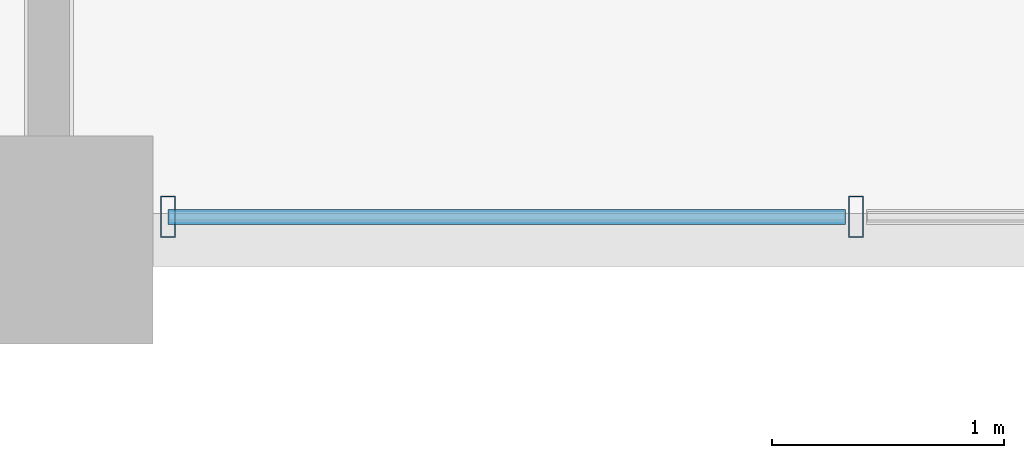
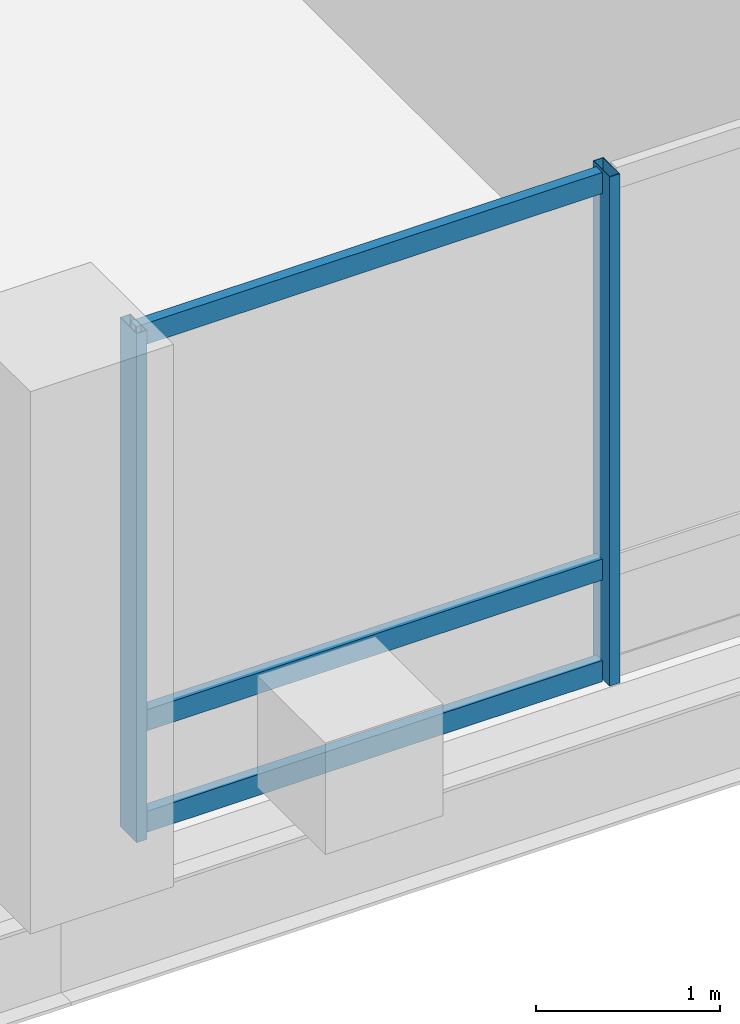
# One storey, part 2 of 21: 5 members, 1 element without a shape of its own.
"""IFC4 building model written with IfcOpenShell, lengths in metres."""

import ifcopenshell
import ifcopenshell.guid

model = None  # the IFC model being written
_history = None  # IfcOwnerHistory: only IFC2X3 demands one
_inside = {}  # id of a spatial element -> (the spatial element, [elements in it])
_under = {}  # id of a project, library or spatial element -> (it, [spatial elements below it])
_declared = {}  # id of a project -> (the project, [libraries it declares])
_typed = {}  # id of a type object -> (the type object, [elements of that type])
_made_of = {}  # id of a material, layer set ... -> (it, [elements and type objects made of it])


def new_model(schema):
    """Start an empty IFC model of exactly this schema.

    Asked for "IFC4X3", IfcOpenShell would pick the latest addendum, in which some entities
    have other attributes; the version numbers below select the first issue.
    IFC2X3 requires an IfcOwnerHistory on every rooted entity: one is made here for all.
    """
    global model, _history
    if schema == "IFC4X3":
        model = ifcopenshell.file(schema_version=(4, 3, 0, 0))
    else:
        model = ifcopenshell.file(schema=schema)
    _inside.clear()
    _under.clear()
    _declared.clear()
    _typed.clear()
    _made_of.clear()
    _history = None
    if model.schema == "IFC2X3":
        org = make("IfcOrganization", Name="unknown")
        user = make(
            "IfcPersonAndOrganization",
            ThePerson=make("IfcPerson", FamilyName="unknown"),
            TheOrganization=org,
        )
        app = make(
            "IfcApplication",
            ApplicationDeveloper=org,
            Version="unknown",
            ApplicationFullName="unknown",
            ApplicationIdentifier="unknown",
        )
        _history = make(
            "IfcOwnerHistory",
            OwningUser=user,
            OwningApplication=app,
            ChangeAction="ADDED",
            CreationDate=0,
        )
    return model


def make(cls, **values):
    """One entity of the class cls with the attributes given. An attribute that is None is left unset."""
    return model.create_entity(
        cls, **{name: value for name, value in values.items() if value is not None}
    )


def rooted(cls, **values):
    """An entity with a GlobalId (a new one), such as an element, a storey or a relation."""
    return make(cls, GlobalId=ifcopenshell.guid.new(), OwnerHistory=_history, **values)


def si_unit(unit_type, name, prefix=None):
    """IfcSIUnit, for example si_unit("LENGTHUNIT", "METRE", prefix="MILLI")."""
    return make("IfcSIUnit", UnitType=unit_type, Prefix=prefix, Name=name)


def assignment(units):
    """IfcUnitAssignment: the units of a project."""
    return None if units is None else make("IfcUnitAssignment", Units=units)


def point(xyz):
    """IfcCartesianPoint."""
    return None if xyz is None else make("IfcCartesianPoint", Coordinates=xyz)


def direction(xyz):
    """IfcDirection."""
    return None if xyz is None else make("IfcDirection", DirectionRatios=xyz)


def frame(location, z_axis=None, x_axis=None):
    """IfcAxis2Placement3D, a coordinate frame: its origin and axes. An axis left out is left unset."""
    return make(
        "IfcAxis2Placement3D",
        Location=point(location),
        Axis=direction(z_axis),
        RefDirection=direction(x_axis),
    )


def frame_2d(location, x_axis=None):
    """IfcAxis2Placement2D, a coordinate frame in the plane: its origin and x axis."""
    return make(
        "IfcAxis2Placement2D", Location=point(location), RefDirection=direction(x_axis)
    )


def origin():
    """The frame at (0, 0, 0) with its axes left unset."""
    return frame((0.0, 0.0, 0.0))


def origin_2d():
    """The frame at (0, 0) in the plane with its x axis left unset."""
    return frame_2d((0.0, 0.0))


def place(relative_to, where):
    """IfcLocalPlacement: puts the frame where relative to a parent placement (None: the world)."""
    return make(
        "IfcLocalPlacement", PlacementRelTo=relative_to, RelativePlacement=where
    )


def context(
    kind, dimensions, precision=None, world=None, true_north=None, identifier=None
):
    """IfcGeometricRepresentationContext, for example the 3D "Model" context."""
    return make(
        "IfcGeometricRepresentationContext",
        ContextIdentifier=identifier,
        ContextType=kind,
        CoordinateSpaceDimension=dimensions,
        Precision=precision,
        WorldCoordinateSystem=world,
        TrueNorth=true_north,
    )


def subcontext(parent, identifier, kind, view, scale=None):
    """IfcGeometricRepresentationSubContext, for example "Body" below "Model"."""
    return make(
        "IfcGeometricRepresentationSubContext",
        ContextIdentifier=identifier,
        ContextType=kind,
        ParentContext=parent,
        TargetScale=scale,
        TargetView=view,
    )


def project(units=None, contexts=None):
    """IfcProject with its units and contexts."""
    return rooted(
        "IfcProject",
        Name="project",
        RepresentationContexts=contexts,
        UnitsInContext=assignment(units),
    )


def spatial(cls, under=None, at=None, **own):
    """A site, building, storey or space (cls), placed at a placement, below another one or the project."""
    s = rooted(cls, ObjectPlacement=at, **own)
    if under is not None:
        _under.setdefault(under.id(), (under, []))[1].append(s)
    return s


def profile(cls, at=None, kind="AREA", **sizes):
    """A parametric profile (cls). Its sizes go by their IFC names, for example OverallWidth=200.0."""
    return make(cls, ProfileType=kind, Position=at, **sizes)


def hollow_rectangle(**sizes):
    """IfcRectangleHollowProfileDef."""
    return profile("IfcRectangleHollowProfileDef", **sizes)


def extrude(swept, where, along, depth):
    """IfcExtrudedAreaSolid: the profile swept, set in the frame where, extruded along a direction by depth."""
    return make(
        "IfcExtrudedAreaSolid",
        SweptArea=swept,
        Position=where,
        ExtrudedDirection=direction(along),
        Depth=depth,
    )


def shape(context_of_items, identifier, shape_type, items):
    """IfcShapeRepresentation: the items that make up one representation, for example the "Body"."""
    return make(
        "IfcShapeRepresentation",
        ContextOfItems=context_of_items,
        RepresentationIdentifier=identifier,
        RepresentationType=shape_type,
        Items=items,
    )


def material(Name=None, Category=None):
    """IfcMaterial."""
    return make("IfcMaterial", Name=Name, Category=Category)


def layer(
    of_material, thickness, ventilated=None, Name=None, Category=None, Priority=None
):
    """IfcMaterialLayer: one layer of a wall or slab, of a material (None: an air gap)."""
    return make(
        "IfcMaterialLayer",
        Material=of_material,
        LayerThickness=thickness,
        IsVentilated=ventilated,
        Name=Name,
        Category=Category,
        Priority=Priority,
    )


def layer_set(layers, Name=None):
    """IfcMaterialLayerSet."""
    return make("IfcMaterialLayerSet", MaterialLayers=layers, LayerSetName=Name)


def material_profile(
    of_material, cross_section, Name=None, Category=None, Priority=None
):
    """IfcMaterialProfile: a cross section and its material."""
    return make(
        "IfcMaterialProfile",
        Name=Name,
        Material=of_material,
        Profile=cross_section,
        Priority=Priority,
        Category=Category,
    )


def profile_set(profiles, Name=None, composite=None):
    """IfcMaterialProfileSet."""
    return make(
        "IfcMaterialProfileSet",
        Name=Name,
        MaterialProfiles=profiles,
        CompositeProfile=composite,
    )


def made_of(thing, what):
    """Note that an element or type object is made of a material, layer set ...; save() writes the relation."""
    if what is not None:
        _made_of.setdefault(what.id(), (what, []))[1].append(thing)
    return thing


def type_object(cls, material=None, **own):
    """A type object (cls), such as IfcWallType, which elements share."""
    return made_of(rooted(cls, **own), material)


def element(
    cls,
    number,
    at=None,
    inside=None,
    cuts=None,
    type_object=None,
    material=None,
    context=None,
    identifier="Body",
    shape_type=None,
    held_by="IfcProductDefinitionShape",
    body=None,
    shapes=None,
    **own,
):
    """One element of the class cls, such as IfcWall. Its Tag is "e" and its number.

    at: its placement. inside: the storey or other place that contains it. cuts: it is an
    opening in that element (IfcRelVoidsElement). A single representation is given by context,
    identifier, shape_type and body (its items); several are given by shapes. held_by: the class
    of the entity that holds the representations. save() writes the other relations.
    """
    e = rooted(cls, Tag="e%d" % number, ObjectPlacement=at, **own)
    if body is not None:
        shapes = [shape(context, identifier, shape_type, body)]
    if shapes is not None:
        e.Representation = make(held_by, Representations=shapes)
    if inside is not None:
        _inside.setdefault(inside.id(), (inside, []))[1].append(e)
    if cuts is not None:
        rooted(
            "IfcRelVoidsElement", RelatingBuildingElement=cuts, RelatedOpeningElement=e
        )
    if type_object is not None:
        _typed.setdefault(type_object.id(), (type_object, []))[1].append(e)
    return made_of(e, material)


def aggregate(whole, parts):
    """IfcRelAggregates: a whole, such as a stair, and the parts it consists of."""
    return rooted("IfcRelAggregates", RelatingObject=whole, RelatedObjects=parts)


def save(model, path):
    """Write the relations noted so far, then the file.

    IfcRelAggregates (storeys below a building ...), IfcRelContainedInSpatialStructure (elements
    in a storey), IfcRelDefinesByType, IfcRelAssociatesMaterial and IfcRelDeclares: one each for
    every whole, place, type object, material and project.
    """
    for whole, parts in _under.values():
        aggregate(whole, parts)
    for where, things in _inside.values():
        rooted(
            "IfcRelContainedInSpatialStructure",
            RelatedElements=things,
            RelatingStructure=where,
        )
    for kind, things in _typed.values():
        rooted("IfcRelDefinesByType", RelatedObjects=things, RelatingType=kind)
    for what, things in _made_of.values():
        rooted("IfcRelAssociatesMaterial", RelatedObjects=things, RelatingMaterial=what)
    for by, libraries in _declared.values():
        rooted("IfcRelDeclares", RelatingContext=by, RelatedDefinitions=libraries)
    model.write(path)


model = new_model("IFC4")

# Units and contexts
model_context = context("Model", 3, precision=1e-05, world=origin(), true_north=direction((0.0, 1.0)))
body_context = subcontext(model_context, "Body", "Model", "MODEL_VIEW")
ifc_project = project(units=[si_unit("LENGTHUNIT", "METRE"), si_unit("AREAUNIT", "SQUARE_METRE"), si_unit("VOLUMEUNIT", "CUBIC_METRE"), si_unit("PLANEANGLEUNIT", "RADIAN"), si_unit("MASSUNIT", "GRAM", prefix="KILO")], contexts=[model_context])

# Site, building, storey
site_placement = place(None, origin())
site = spatial("IfcSite", under=ifc_project, at=site_placement, CompositionType="ELEMENT")
building_placement = place(site_placement, origin())
building = spatial("IfcBuilding", under=site, at=building_placement, Name="Barlavira Tower and Art Museum", CompositionType="ELEMENT")
storey_placement = place(building_placement, frame((0.0, 0.0, 287.10009765625)))
storey = spatial("IfcBuildingStorey", under=building, at=storey_placement, Name="L75", CompositionType="ELEMENT", Elevation=287.10009765625)

# Curtain wall, members
ifc_material_1 = material(Name="Low-iron coastal laminated glass", Category="glass")
ifc_layer = layer(ifc_material_1, 0.2099609375, Name="Low-iron coastal laminated glass")
ifc_layer_set = layer_set([ifc_layer], Name="Low-iron coastal laminated glass")
curtain_wall_type = type_object("IfcCurtainWallType", Name="Pale-Metal Unitised Curtain Wall Zone 4", PredefinedType="NOTDEFINED", material=ifc_layer_set)
curtain_wall_placement = place(storey_placement, origin())
curtain_wall = element("IfcCurtainWall", 1, at=curtain_wall_placement, inside=storey, type_object=curtain_wall_type, Name="L75 Curtain Wall CW4-L75-S-B2", PredefinedType="NOTDEFINED")
ifc_material_2 = material(Name="Pale anodised aluminium", Category="aluminium")
ifc_material_profile_1 = material_profile(ifc_material_2, hollow_rectangle(XDim=0.06494140625, YDim=0.179931640625, WallThickness=0.00390625, at=origin_2d()), Name="ALU-MULL 65x180x4")
ifc_profile_set_1 = profile_set([ifc_material_profile_1], Name="Pale anodised aluminium")
member_type_1 = type_object("IfcMemberType", Name="Curtain Wall Pale-Metal Mullion 65x180", PredefinedType="MULLION", material=ifc_profile_set_1)
member_1_placement = place(storey_placement, frame((-5.985107421875, -19.89990234375, 0.0), z_axis=(0.0, 0.0, 1.0), x_axis=(1.0, 0.0, 0.0)))
member_1 = element("IfcMember", 2, at=member_1_placement, type_object=member_type_1, Name="CW4-L75-S-B2 Mullion 0", PredefinedType="MULLION", context=body_context, shape_type="SweptSolid", body=[
    extrude(hollow_rectangle(XDim=0.06494140625, YDim=0.179931640625, WallThickness=0.00390625, at=origin_2d()), origin(), (0.0, 0.0, 1.0), 3.3798828125),
])
member_2_placement = place(storey_placement, frame((-3.014892578125, -19.89990234375, 0.0), z_axis=(0.0, 0.0, 1.0), x_axis=(1.0, 0.0, 0.0)))
member_2 = element("IfcMember", 3, at=member_2_placement, type_object=member_type_1, Name="CW4-L75-S-B2 Mullion 1", PredefinedType="MULLION", context=body_context, shape_type="SweptSolid", body=[
    extrude(hollow_rectangle(XDim=0.06494140625, YDim=0.179931640625, WallThickness=0.00390625, at=origin_2d()), origin(), (0.0, 0.0, 1.0), 3.3798828125),
])
ifc_material_profile_2 = material_profile(ifc_material_2, hollow_rectangle(XDim=0.06494140625, YDim=0.139892578125, WallThickness=0.00390625, at=origin_2d()), Name="ALU-TRAN 65x140x4")
ifc_profile_set_2 = profile_set([ifc_material_profile_2], Name="Pale anodised aluminium")
member_type_2 = type_object("IfcMemberType", Name="Curtain Wall Pale-Metal Transom 65x140", PredefinedType="USERDEFINED", material=ifc_profile_set_2)
member_3_placement = place(storey_placement, frame((-5.985107421875, -19.89990234375, 0.06982421875), z_axis=(1.0, 0.0, 0.0), x_axis=(0.0, 1.0, 0.0)))
member_3 = element("IfcMember", 4, at=member_3_placement, type_object=member_type_2, Name="CW4-L75-S-B2 Transom 0.1", ObjectType="TRANSOM", PredefinedType="USERDEFINED", context=body_context, shape_type="SweptSolid", body=[
    extrude(hollow_rectangle(XDim=0.06494140625, YDim=0.139892578125, WallThickness=0.00390625, at=origin_2d()), origin(), (0.0, 0.0, 1.0), 2.925048828125),
])
member_4_placement = place(storey_placement, frame((-5.985107421875, -19.89990234375, 0.743896484375), z_axis=(1.0, 0.0, 0.0), x_axis=(0.0, 1.0, 0.0)))
member_4 = element("IfcMember", 5, at=member_4_placement, type_object=member_type_2, Name="CW4-L75-S-B2 Transom 0.2", ObjectType="TRANSOM", PredefinedType="USERDEFINED", context=body_context, shape_type="SweptSolid", body=[
    extrude(hollow_rectangle(XDim=0.06494140625, YDim=0.139892578125, WallThickness=0.00390625, at=origin_2d()), origin(), (0.0, 0.0, 1.0), 2.925048828125),
])
member_5_placement = place(storey_placement, frame((-5.985107421875, -19.89990234375, 3.309814453125), z_axis=(1.0, 0.0, 0.0), x_axis=(0.0, 1.0, 0.0)))
member_5 = element("IfcMember", 6, at=member_5_placement, type_object=member_type_2, Name="CW4-L75-S-B2 Transom 0.3", ObjectType="TRANSOM", PredefinedType="USERDEFINED", context=body_context, shape_type="SweptSolid", body=[
    extrude(hollow_rectangle(XDim=0.06494140625, YDim=0.139892578125, WallThickness=0.00390625, at=origin_2d()), origin(), (0.0, 0.0, 1.0), 2.925048828125),
])
aggregate(curtain_wall, [member_1, member_2, member_3, member_4, member_5])

save(model, "model.ifc")
